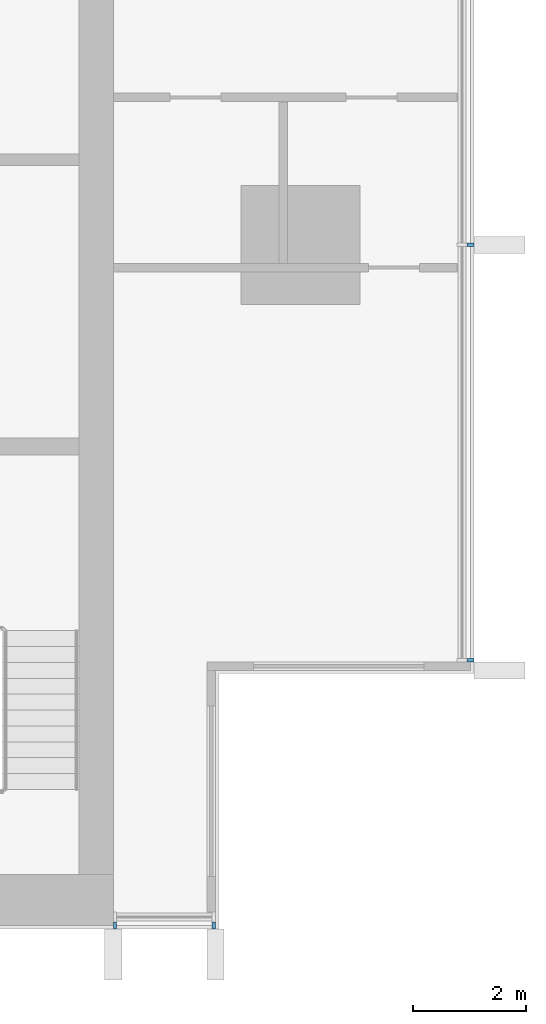
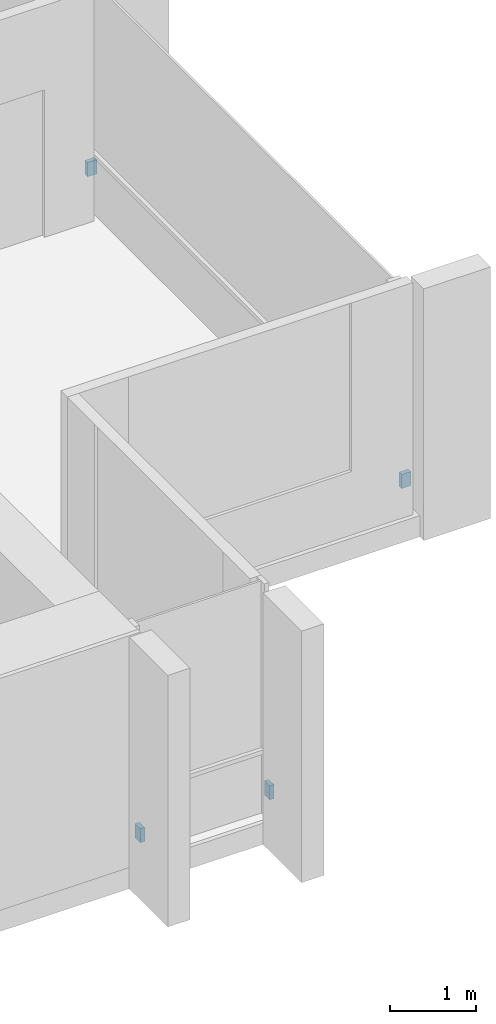
# One storey, part 13 of 16: 4 discrete accessories.
"""IFC4 building model written with IfcOpenShell, lengths in metres."""

from ifc_helpers import new_model, si_unit, direction, frame, origin, origin_2d, place, context, subcontext, project, spatial, rectangle, extrude, material, type_object, element, save


model = new_model("IFC4")

# Units and contexts
model_context = context("Model", 3, precision=1e-05, world=origin(), true_north=direction((0.0, 1.0)))
body_context = subcontext(model_context, "Body", "Model", "MODEL_VIEW")
ifc_project = project(units=[si_unit("LENGTHUNIT", "METRE"), si_unit("AREAUNIT", "SQUARE_METRE"), si_unit("VOLUMEUNIT", "CUBIC_METRE"), si_unit("PLANEANGLEUNIT", "RADIAN"), si_unit("MASSUNIT", "GRAM", prefix="KILO")], contexts=[model_context])

# Site, building, storey
site_placement = place(None, origin())
site = spatial("IfcSite", under=ifc_project, at=site_placement, CompositionType="ELEMENT")
building_placement = place(site_placement, origin())
building = spatial("IfcBuilding", under=site, at=building_placement, Name="Finial Court Residences", CompositionType="ELEMENT")
storey_placement = place(building_placement, frame((0.0, 0.0, 212.300048828125)))
storey = spatial("IfcBuildingStorey", under=building, at=storey_placement, Name="L53", CompositionType="ELEMENT", Elevation=212.300048828125)

# Discrete accessories
ifc_material = material(Name="Stainless steel 316", Category="steel")
discrete_accessory_type = type_object("IfcDiscreteAccessoryType", Name="Fin bracket, stainless steel 60 x 122 x 200", PredefinedType="BRACKET", material=ifc_material)
for number, where, z_axis, x_axis, name in (
    (1, (19.498779296875, -20.820068359375, 0.2998046875), (0.0, 0.0, 1.0), (1.0, 0.0, 0.0), "E-L53-FIN-E7-BRK"),
    (2, (19.498779296875, -13.5, 0.2998046875), (0.0, 0.0, 1.0), (1.0, 0.0, 0.0), "E-L53-FIN-E8-BRK"),
):
    element("IfcDiscreteAccessory", number, at=place(storey_placement, frame(where, z_axis=z_axis, x_axis=x_axis)), inside=storey, type_object=discrete_accessory_type, Name=name, PredefinedType="BRACKET", context=body_context, shape_type="SweptSolid", body=[
        extrude(rectangle(XDim=0.12255859375, YDim=0.06005859375, at=origin_2d()), origin(), (0.0, 0.0, 1.0), 0.199951171875),
    ])
for number, where, z_axis, x_axis, name in (
    (3, (13.22998046875, -25.498779296875, 0.2998046875), (0.0, 0.0, 1.0), (1.0, 0.0, 0.0), "E-L53-FIN-S19-BRK"),
    (4, (14.969970703125, -25.498779296875, 0.2998046875), (0.0, 0.0, 1.0), (1.0, 0.0, 0.0), "E-L53-FIN-S20-BRK"),
):
    element("IfcDiscreteAccessory", number, at=place(storey_placement, frame(where, z_axis=z_axis, x_axis=x_axis)), inside=storey, type_object=discrete_accessory_type, Name=name, PredefinedType="BRACKET", context=body_context, shape_type="SweptSolid", body=[
        extrude(rectangle(XDim=0.06005859375, YDim=0.12255859375, at=origin_2d()), origin(), (0.0, 0.0, 1.0), 0.199951171875),
    ])

save(model, "model.ifc")
